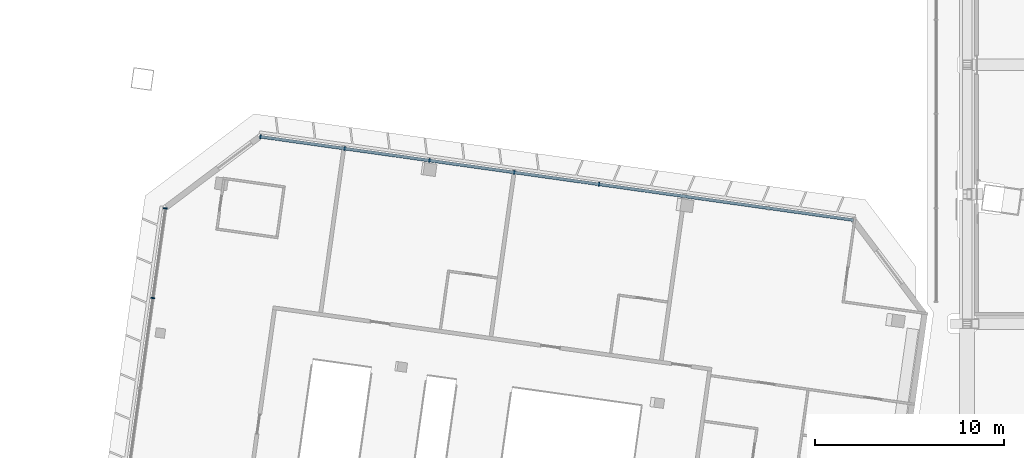
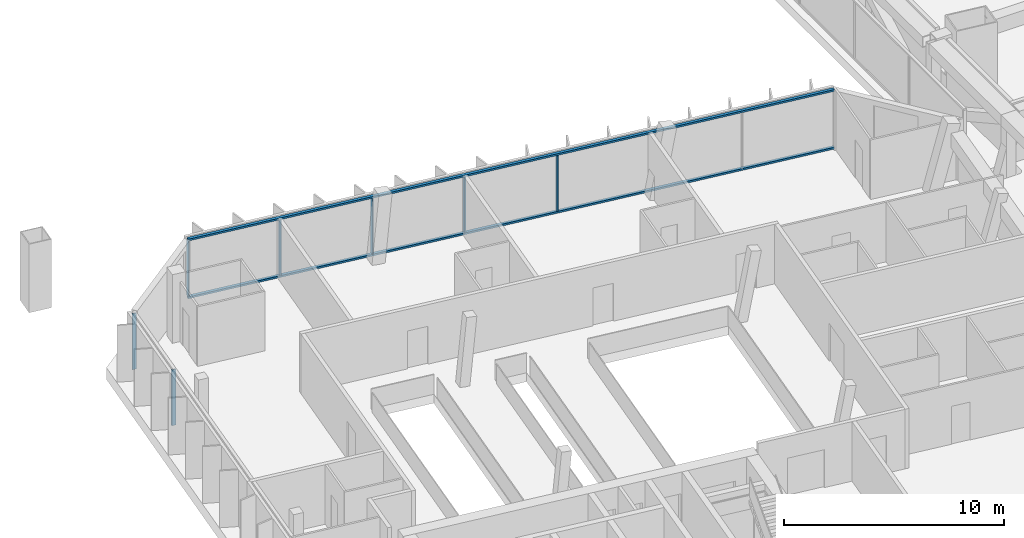
# One storey, part 7 of 30: 9 members, 2 elements without a shape of their own.
"""IFC4 building model written with IfcOpenShell, lengths in metres."""

from ifc_helpers import new_model, si_unit, direction, frame, origin, origin_2d, place, context, subcontext, project, spatial, rectangle, extrude, material, material_profile, profile_set, type_object, element, aggregate, save


model = new_model("IFC4")

# Units and contexts
model_context = context("Model", 3, precision=1e-05, world=origin(), true_north=direction((0.0, 1.0)))
body_context = subcontext(model_context, "Body", "Model", "MODEL_VIEW")
ifc_project = project(units=[si_unit("LENGTHUNIT", "METRE"), si_unit("AREAUNIT", "SQUARE_METRE"), si_unit("VOLUMEUNIT", "CUBIC_METRE"), si_unit("PLANEANGLEUNIT", "RADIAN"), si_unit("MASSUNIT", "GRAM", prefix="KILO")], contexts=[model_context])

# Site, building, storey
site_placement = place(None, origin())
site = spatial("IfcSite", under=ifc_project, at=site_placement, CompositionType="ELEMENT")
building_placement = place(site_placement, origin())
building = spatial("IfcBuilding", under=site, at=building_placement, Name="Mirante Cascada Hotel Towers", CompositionType="ELEMENT")
storey_placement = place(building_placement, frame((0.0, 0.0, 258.4)))
storey = spatial("IfcBuildingStorey", under=building, at=storey_placement, Name="L62", CompositionType="ELEMENT", Elevation=258.4)

# Curtain wall, members
ifc_material_1 = material(Name="Aluminium mullion and transom frame with clear laminated glass", Category="aluminium")
curtain_wall_type_1 = type_object("IfcCurtainWallType", Name="Ribbon curtain wall ECW1", PredefinedType="NOTDEFINED", material=ifc_material_1)
curtain_wall_1_placement = place(storey_placement, origin())
curtain_wall_1 = element("IfcCurtainWall", 1, at=curtain_wall_1_placement, inside=storey, type_object=curtain_wall_type_1, Name="Front ribbon wall T1 L62", PredefinedType="NOTDEFINED")
ifc_material_2 = material(Name="Anodised aluminium extrusion", Category="aluminium")
ifc_material_profile_1 = material_profile(ifc_material_2, rectangle(XDim=0.2, YDim=0.065, at=origin_2d()), Name="ECW1 MULLION 65x200")
ifc_profile_set_1 = profile_set([ifc_material_profile_1], Name="Anodised aluminium extrusion")
member_type_1 = type_object("IfcMemberType", Name="ECW1 mullion 65x200", PredefinedType="MULLION", material=ifc_profile_set_1)
member_1_placement = place(storey_placement, frame((-49.5639, 19.7848, 0.1), z_axis=(0.0, 0.0, 1.0), x_axis=(0.1391731, 0.9902681, 0.0)))
member_1 = element("IfcMember", 2, at=member_1_placement, type_object=member_type_1, Name="ECW1 mullion 1", PredefinedType="MULLION", context=body_context, shape_type="SweptSolid", body=[
    extrude(rectangle(XDim=0.2, YDim=0.065, at=origin_2d()), origin(), (0.0, 0.0, 1.0), 3.1),
])
member_2_placement = place(storey_placement, frame((-45.1179, 19.1599, 0.1), z_axis=(0.0, 0.0, 1.0), x_axis=(0.1391731, 0.9902681, 0.0)))
member_2 = element("IfcMember", 3, at=member_2_placement, type_object=member_type_1, Name="ECW1 mullion 2", PredefinedType="MULLION", context=body_context, shape_type="SweptSolid", body=[
    extrude(rectangle(XDim=0.2, YDim=0.065, at=origin_2d()), origin(), (0.0, 0.0, 1.0), 3.1),
])
member_3_placement = place(storey_placement, frame((-40.6397, 18.5306, 0.1), z_axis=(0.0, 0.0, 1.0), x_axis=(0.1391731, 0.9902681, 0.0)))
member_3 = element("IfcMember", 4, at=member_3_placement, type_object=member_type_1, Name="ECW1 mullion 3", PredefinedType="MULLION", context=body_context, shape_type="SweptSolid", body=[
    extrude(rectangle(XDim=0.2, YDim=0.065, at=origin_2d()), origin(), (0.0, 0.0, 1.0), 3.1),
])
member_4_placement = place(storey_placement, frame((-36.1615, 17.9012, 0.1), z_axis=(0.0, 0.0, 1.0), x_axis=(0.1391731, 0.9902681, 0.0)))
member_4 = element("IfcMember", 5, at=member_4_placement, type_object=member_type_1, Name="ECW1 mullion 4", PredefinedType="MULLION", context=body_context, shape_type="SweptSolid", body=[
    extrude(rectangle(XDim=0.2, YDim=0.065, at=origin_2d()), origin(), (0.0, 0.0, 1.0), 3.1),
])
member_5_placement = place(storey_placement, frame((-31.6833, 17.2718, 0.1), z_axis=(0.0, 0.0, 1.0), x_axis=(0.1391731, 0.9902681, 0.0)))
member_5 = element("IfcMember", 6, at=member_5_placement, type_object=member_type_1, Name="ECW1 mullion 5", PredefinedType="MULLION", context=body_context, shape_type="SweptSolid", body=[
    extrude(rectangle(XDim=0.2, YDim=0.065, at=origin_2d()), origin(), (0.0, 0.0, 1.0), 3.1),
])
ifc_material_3 = material(Name="Anodised aluminium extrusion", Category="aluminium")
ifc_material_profile_2 = material_profile(ifc_material_3, rectangle(XDim=0.16, YDim=0.1, at=origin_2d()), Name="ECW1 TRANSOM 100x160")
ifc_profile_set_2 = profile_set([ifc_material_profile_2], Name="Anodised aluminium extrusion")
member_type_2 = type_object("IfcMemberType", Name="ECW1 transom 100x160", PredefinedType="USERDEFINED", material=ifc_profile_set_2)
member_6_placement = place(storey_placement, frame((-49.5961, 19.7893, 0.05), z_axis=(0.990268, -0.1391734, 0.0), x_axis=(0.1391734, 0.990268, 0.0)))
member_6 = element("IfcMember", 7, at=member_6_placement, type_object=member_type_2, Name="ECW1 sill transom", ObjectType="TRANSOM", PredefinedType="USERDEFINED", context=body_context, shape_type="SweptSolid", body=[
    extrude(rectangle(XDim=0.16, YDim=0.1, at=origin_2d()), origin(), (0.0, 0.0, 1.0), 31.6555),
])
member_7_placement = place(storey_placement, frame((-49.5961, 19.7893, 3.25), z_axis=(0.990268, -0.1391734, 0.0), x_axis=(0.1391734, 0.990268, 0.0)))
member_7 = element("IfcMember", 8, at=member_7_placement, type_object=member_type_2, Name="ECW1 head transom", ObjectType="TRANSOM", PredefinedType="USERDEFINED", context=body_context, shape_type="SweptSolid", body=[
    extrude(rectangle(XDim=0.16, YDim=0.1, at=origin_2d()), origin(), (0.0, 0.0, 1.0), 31.6555),
])
aggregate(curtain_wall_1, [member_6, member_7, member_1, member_2, member_3, member_4, member_5])

ifc_material_4 = material(Name="Aluminium mullion and transom frame with clear laminated glass", Category="aluminium")
curtain_wall_type_2 = type_object("IfcCurtainWallType", Name="End ribbon curtain wall ECW2", PredefinedType="NOTDEFINED", material=ifc_material_4)
curtain_wall_2_placement = place(storey_placement, origin())
curtain_wall_2 = element("IfcCurtainWall", 9, at=curtain_wall_2_placement, inside=storey, type_object=curtain_wall_type_2, Name="Outer end wall T1 L62", PredefinedType="NOTDEFINED")
ifc_material_5 = material(Name="Anodised aluminium extrusion", Category="aluminium")
ifc_material_profile_3 = material_profile(ifc_material_5, rectangle(XDim=0.2, YDim=0.065, at=origin_2d()), Name="ECW2 MULLION 65x200")
ifc_profile_set_3 = profile_set([ifc_material_profile_3], Name="Anodised aluminium extrusion")
member_type_3 = type_object("IfcMemberType", Name="ECW2 mullion 65x200", PredefinedType="MULLION", material=ifc_profile_set_3)
member_8_placement = place(storey_placement, frame((-55.2491, 11.2684, 0.1), z_axis=(0.0, 0.0, 1.0), x_axis=(-0.9902681, 0.1391731, 0.0)))
member_8 = element("IfcMember", 10, at=member_8_placement, type_object=member_type_3, Name="ECW2 mullion 6", PredefinedType="MULLION", context=body_context, shape_type="SweptSolid", body=[
    extrude(rectangle(XDim=0.2, YDim=0.065, at=origin_2d()), origin(), (0.0, 0.0, 1.0), 3.1),
])
member_9_placement = place(storey_placement, frame((-54.5839, 16.002, 0.1), z_axis=(0.0, 0.0, 1.0), x_axis=(-0.9902681, 0.1391731, 0.0)))
member_9 = element("IfcMember", 11, at=member_9_placement, type_object=member_type_3, Name="ECW2 mullion 7", PredefinedType="MULLION", context=body_context, shape_type="SweptSolid", body=[
    extrude(rectangle(XDim=0.2, YDim=0.065, at=origin_2d()), origin(), (0.0, 0.0, 1.0), 3.1),
])
aggregate(curtain_wall_2, [member_8, member_9])

save(model, "model.ifc")
